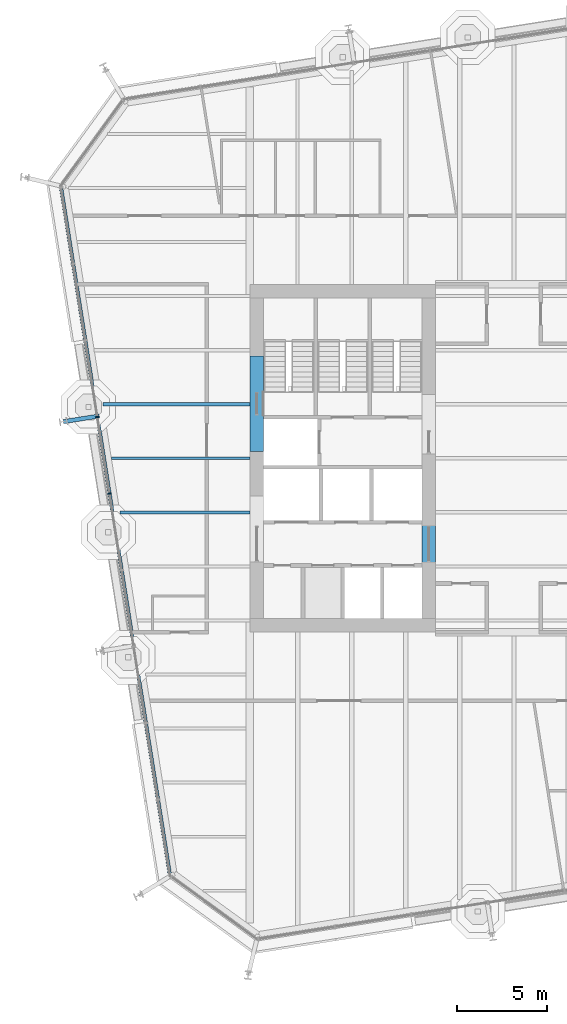
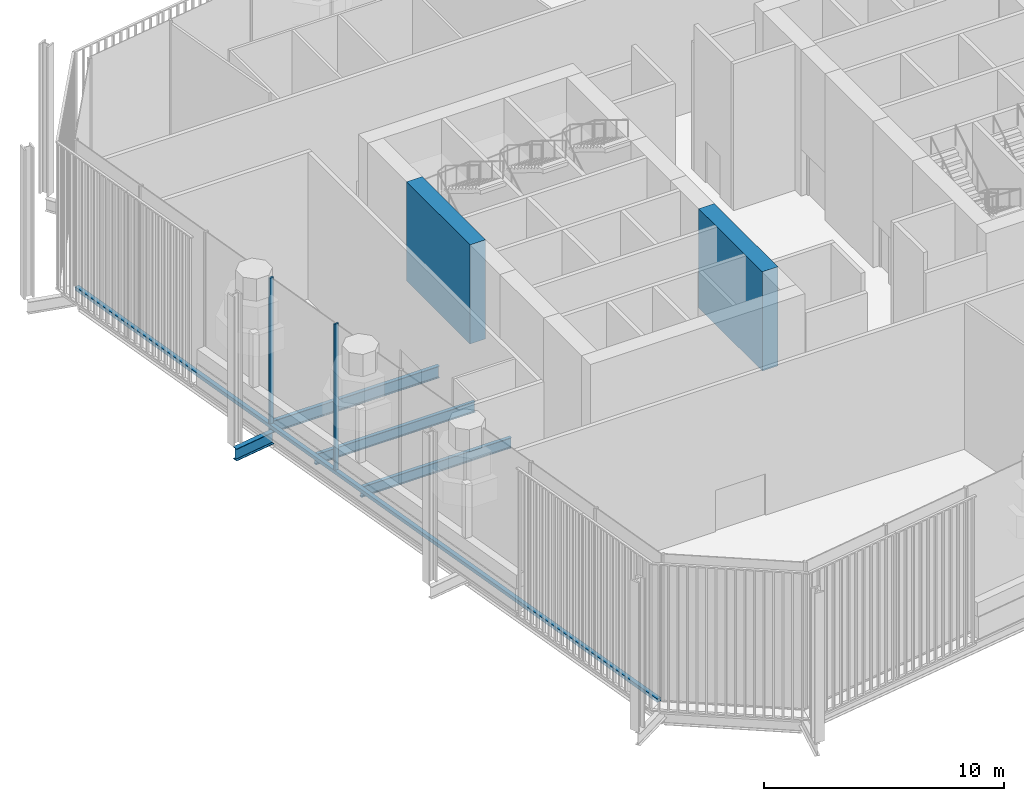
# One storey, part 3 of 19: 6 beams, 3 members, 1 element without a shape of its own.
"""IFC4 building model written with IfcOpenShell, lengths in metres."""

from ifc_helpers import new_model, si_unit, direction, frame, origin, origin_2d, place, context, subcontext, project, spatial, rectangle, i_section, extrude, material, layer, layer_set, material_profile, profile_set, type_object, element, aggregate, save


model = new_model("IFC4")

# Units and contexts
model_context = context("Model", 3, precision=1e-05, world=origin(), true_north=direction((0.0, 1.0)))
body_context = subcontext(model_context, "Body", "Model", "MODEL_VIEW")
ifc_project = project(units=[si_unit("LENGTHUNIT", "METRE"), si_unit("AREAUNIT", "SQUARE_METRE"), si_unit("VOLUMEUNIT", "CUBIC_METRE"), si_unit("PLANEANGLEUNIT", "RADIAN"), si_unit("MASSUNIT", "GRAM", prefix="KILO")], contexts=[model_context])

# Site, building, storey
site_placement = place(None, origin())
site = spatial("IfcSite", under=ifc_project, at=site_placement, CompositionType="ELEMENT")
building_placement = place(site_placement, origin())
building = spatial("IfcBuilding", under=site, at=building_placement, Name="Millrace Tower", CompositionType="ELEMENT")
storey_placement = place(building_placement, frame((0.0, 0.0, 172.39990234375)))
storey = spatial("IfcBuildingStorey", under=building, at=storey_placement, Name="L39", CompositionType="ELEMENT", Elevation=172.39990234375)

# Curtain wall, members
ifc_material_1 = material(Name="Aluminium and glass", Category="aluminium")
ifc_layer = layer(ifc_material_1, 0.199951171875)
ifc_layer_set = layer_set([ifc_layer], Name="Aluminium and glass")
curtain_wall_type = type_object("IfcCurtainWallType", Name="CW-4 sky garden winter glazing", PredefinedType="NOTDEFINED", material=ifc_layer_set)
curtain_wall_placement = place(storey_placement, origin())
curtain_wall = element("IfcCurtainWall", 1, at=curtain_wall_placement, inside=storey, type_object=curtain_wall_type, Name="Curtain wall C-F08 L39", PredefinedType="NOTDEFINED")
ifc_material_2 = material(Name="Aluminium", Category="aluminium")
ifc_material_profile_1 = material_profile(ifc_material_2, rectangle(XDim=0.080078125, YDim=0.199951171875, at=origin_2d()))
ifc_profile_set_1 = profile_set([ifc_material_profile_1], Name="Aluminium")
member_type_1 = type_object("IfcMemberType", Name="CW-4 sky garden winter glazing mullion", PredefinedType="MULLION", material=ifc_profile_set_1)
member_1_placement = place(storey_placement, frame((-23.1123046875, 2.289306640625, 0.18017578125), z_axis=(0.0, 0.0, 1.0), x_axis=(0.15643447328, -0.98768833929, 0.0)))
member_1 = element("IfcMember", 2, at=member_1_placement, type_object=member_type_1, Name="CW4 mullion C-F08.4", PredefinedType="MULLION", context=body_context, shape_type="SweptSolid", body=[
    extrude(rectangle(XDim=0.080078125, YDim=0.199951171875, at=origin_2d()), origin(), (0.0, 0.0, 1.0), 7.419921875),
])
member_2_placement = place(storey_placement, frame((-22.439453125, -1.957763671875, 0.18017578125), z_axis=(0.0, 0.0, 1.0), x_axis=(0.15643447328, -0.98768833929, 0.0)))
member_2 = element("IfcMember", 3, at=member_2_placement, type_object=member_type_1, Name="CW4 mullion C-F08.5", PredefinedType="MULLION", context=body_context, shape_type="SweptSolid", body=[
    extrude(rectangle(XDim=0.080078125, YDim=0.199951171875, at=origin_2d()), origin(), (0.0, 0.0, 1.0), 7.419921875),
])
ifc_material_3 = material(Name="Aluminium", Category="aluminium")
ifc_material_profile_2 = material_profile(ifc_material_3, rectangle(XDim=0.199951171875, YDim=0.179931640625, at=origin_2d()))
ifc_profile_set_2 = profile_set([ifc_material_profile_2], Name="Aluminium")
member_type_2 = type_object("IfcMemberType", Name="CW-4 sky garden winter glazing transom", PredefinedType="USERDEFINED", material=ifc_profile_set_2)
member_3_placement = place(storey_placement, frame((-25.120849609375, 14.97119140625, 0.090087890625), z_axis=(0.156433422663, -0.987688505691, 0.0), x_axis=(0.987688505691, 0.156433422663, 0.0)))
member_3 = element("IfcMember", 4, at=member_3_placement, type_object=member_type_2, Name="CW4 transom C-F08.1", ObjectType="TRANSOM", PredefinedType="USERDEFINED", context=body_context, shape_type="SweptSolid", body=[
    extrude(rectangle(XDim=0.199951171875, YDim=0.179931640625, at=origin_2d()), origin(), (0.0, 0.0, 1.0), 38.5),
])
aggregate(curtain_wall, [member_1, member_2, member_3])

# Beams
ifc_material_4 = material(Name="Concrete C70", Category="concrete")
ifc_material_profile_3 = material_profile(ifc_material_4, rectangle(XDim=0.75, YDim=5.0400390625, at=origin_2d()))
ifc_profile_set_3 = profile_set([ifc_material_profile_3], Name="Concrete C70")
beam_type_1 = type_object("IfcBeamType", Name="Coupling beam 750 x 5040 Concrete C70, 1300 opening", PredefinedType="BEAM", material=ifc_profile_set_3)
beam_1_placement = place(storey_placement, frame((-14.27490234375, 0.384033203125, 4.920166015625), z_axis=(0.0, 1.0, 0.0), x_axis=(-1.0, 0.0, 0.0)))
element("IfcBeam", 5, at=beam_1_placement, inside=storey, type_object=beam_type_1, Name="Coupling beam W L39", PredefinedType="BEAM", context=body_context, shape_type="SweptSolid", body=[
    extrude(rectangle(XDim=0.75, YDim=5.0400390625, at=origin_2d()), origin(), (0.0, 0.0, 1.0), 5.2919921875),
])
ifc_material_5 = material(Name="Concrete C70", Category="concrete")
ifc_material_profile_4 = material_profile(ifc_material_5, rectangle(XDim=0.75, YDim=5.0400390625, at=origin_2d()))
ifc_profile_set_4 = profile_set([ifc_material_profile_4], Name="Concrete C70")
beam_type_2 = type_object("IfcBeamType", Name="Coupling beam 750 x 5040 Concrete C70, 2000 opening", PredefinedType="BEAM", material=ifc_profile_set_4)
beam_2_placement = place(storey_placement, frame((-4.72509765625, -7.39599609375, 4.920166015625), z_axis=(0.0, 1.0, 0.0), x_axis=(-1.0, 0.0, 0.0)))
element("IfcBeam", 6, at=beam_2_placement, inside=storey, type_object=beam_type_2, Name="Coupling beam W L39", PredefinedType="BEAM", context=body_context, shape_type="SweptSolid", body=[
    extrude(rectangle(XDim=0.75, YDim=5.0400390625, at=origin_2d()), origin(), (0.0, 0.0, 1.0), 5.2919921875),
])
ifc_material_6 = material(Name="Steel ASTM A992 Grade 50", Category="steel")
ifc_material_profile_5 = material_profile(ifc_material_6, i_section(OverallWidth=0.1650390625, OverallDepth=0.52587890625, WebThickness=0.0087890625, FlangeThickness=0.011474609375, FilletRadius=0.0126953125, at=origin_2d()))
ifc_profile_set_5 = profile_set([ifc_material_profile_5], Name="Steel ASTM A992 Grade 50")
beam_type_3 = type_object("IfcBeamType", Name="Floor beam W21x44", PredefinedType="JOIST", material=ifc_profile_set_5)
beam_3_placement = place(storey_placement, frame((-21.862060546875, -3.0, -0.5126953125), z_axis=(1.0, 0.0, 0.0), x_axis=(0.0, 1.0, 0.0)))
element("IfcBeam", 7, at=beam_3_placement, inside=storey, type_object=beam_type_3, Name="BM-C-L39-S1-S017", PredefinedType="JOIST", context=body_context, shape_type="SweptSolid", body=[
    extrude(i_section(OverallWidth=0.1650390625, OverallDepth=0.52587890625, WebThickness=0.0087890625, FlangeThickness=0.011474609375, FilletRadius=0.0126953125, at=origin_2d()), origin(), (0.0, 0.0, 1.0), 7.212158203125),
])
beam_4_placement = place(storey_placement, frame((-22.337158203125, 0.0, -0.5126953125), z_axis=(1.0, 0.0, 0.0), x_axis=(0.0, 1.0, 0.0)))
element("IfcBeam", 8, at=beam_4_placement, inside=storey, type_object=beam_type_3, Name="BM-C-L39-S1-S020", PredefinedType="JOIST", context=body_context, shape_type="SweptSolid", body=[
    extrude(i_section(OverallWidth=0.1650390625, OverallDepth=0.52587890625, WebThickness=0.0087890625, FlangeThickness=0.011474609375, FilletRadius=0.0126953125, at=origin_2d()), origin(), (0.0, 0.0, 1.0), 7.687255859375),
])
ifc_material_7 = material(Name="Steel ASTM A992 Grade 50", Category="steel")
ifc_material_profile_6 = material_profile(ifc_material_7, i_section(OverallWidth=0.177978515625, OverallDepth=0.599365234375, WebThickness=0.010009765625, FlangeThickness=0.012939453125, FilletRadius=0.012939453125, at=origin_2d()))
ifc_profile_set_6 = profile_set([ifc_material_profile_6], Name="Steel ASTM A992 Grade 50")
beam_type_4 = type_object("IfcBeamType", Name="Floor beam W24x55", PredefinedType="JOIST", material=ifc_profile_set_6)
beam_5_placement = place(storey_placement, frame((-22.812255859375, 3.0, -0.549560546875), z_axis=(1.0, 0.0, 0.0), x_axis=(0.0, 1.0, 0.0)))
element("IfcBeam", 9, at=beam_5_placement, inside=storey, type_object=beam_type_4, Name="BM-C-L39-S1-S023", PredefinedType="JOIST", context=body_context, shape_type="SweptSolid", body=[
    extrude(i_section(OverallWidth=0.177978515625, OverallDepth=0.599365234375, WebThickness=0.010009765625, FlangeThickness=0.012939453125, FilletRadius=0.012939453125, at=origin_2d()), origin(), (0.0, 0.0, 1.0), 8.162353515625),
])
ifc_material_8 = material(Name="Steel ASTM A992 Grade 50", Category="steel")
ifc_material_profile_7 = material_profile(ifc_material_8, i_section(OverallWidth=0.23046875, OverallDepth=0.6171875, WebThickness=0.01318359375, FlangeThickness=0.022216796875, FilletRadius=0.012939453125, at=origin_2d()))
ifc_profile_set_7 = profile_set([ifc_material_profile_7], Name="Steel ASTM A992 Grade 50")
beam_type_5 = type_object("IfcBeamType", Name="Link beam W24x94", PredefinedType="BEAM", material=ifc_profile_set_7)
beam_6_placement = place(storey_placement, frame((-23.019775390625, 2.344482421875, -0.55859375), z_axis=(-0.987678691416, -0.156495375404, 0.0), x_axis=(0.156495375404, -0.987678691416, 0.0)))
element("IfcBeam", 10, at=beam_6_placement, inside=storey, type_object=beam_type_5, Name="LNK-C-L39-S1-03", PredefinedType="BEAM", context=body_context, shape_type="SweptSolid", body=[
    extrude(i_section(OverallWidth=0.23046875, OverallDepth=0.6171875, WebThickness=0.01318359375, FlangeThickness=0.022216796875, FilletRadius=0.012939453125, at=origin_2d()), origin(), (0.0, 0.0, 1.0), 2.0),
])

save(model, "model.ifc")
